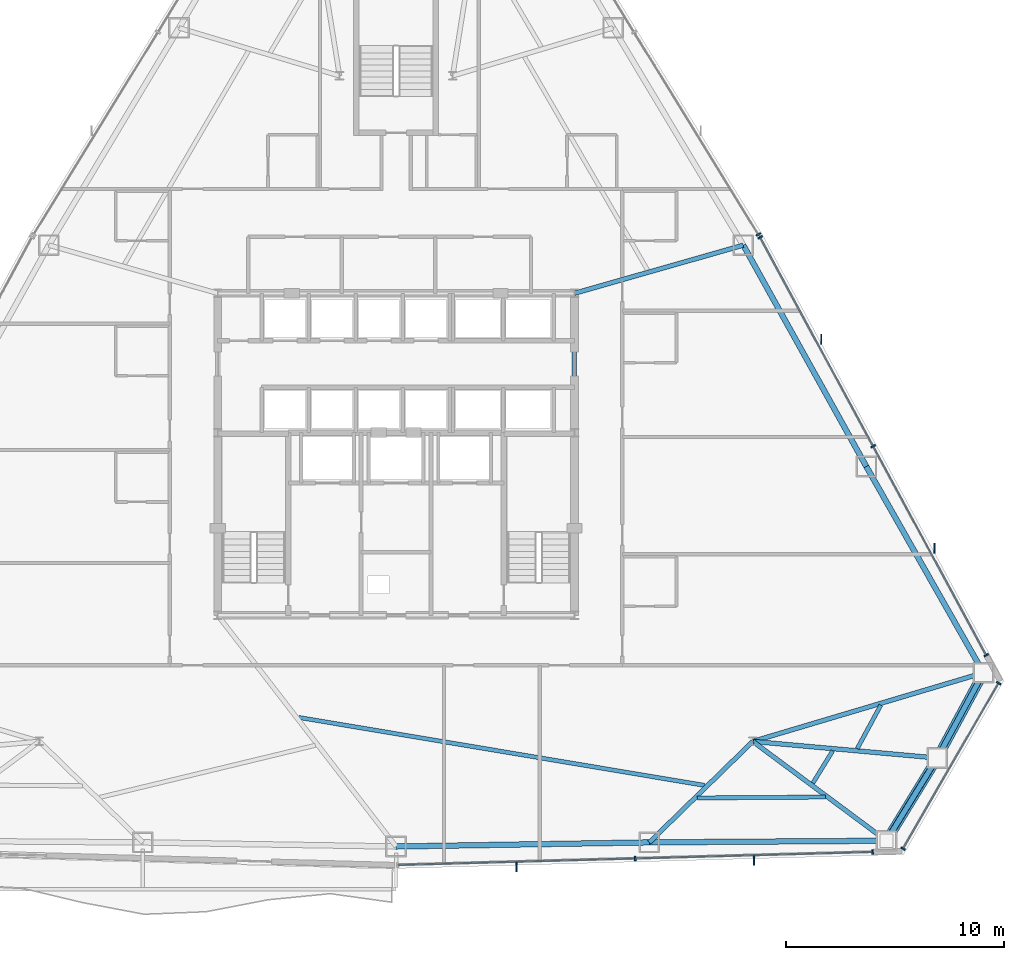
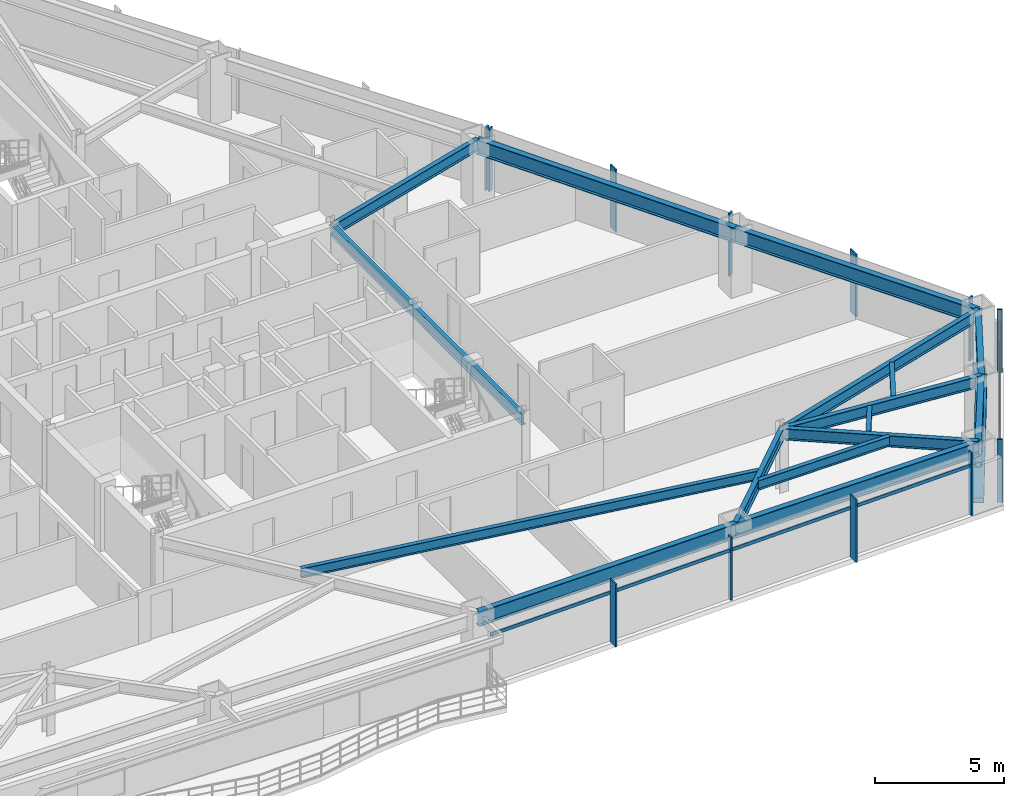
# One storey, part 6 of 14: 18 members, 16 beams, 4 elements without a shape of their own.
"""IFC4 building model written with IfcOpenShell, lengths in metres."""

from ifc_helpers import new_model, si_unit, direction, frame, origin, origin_2d, place, context, subcontext, project, spatial, rectangle, hollow_rectangle, hollow_circle, i_section, extrude, source, transform, mapped, material, layer, layer_set, material_profile, profile_set, type_object, type_shapes, element, aggregate, save


model = new_model("IFC4")

# Units and contexts
model_context = context("Model", 3, precision=1e-05, world=origin(), true_north=direction((0.0, 1.0)))
body_context = subcontext(model_context, "Body", "Model", "MODEL_VIEW")
ifc_project = project(units=[si_unit("LENGTHUNIT", "METRE"), si_unit("AREAUNIT", "SQUARE_METRE"), si_unit("VOLUMEUNIT", "CUBIC_METRE"), si_unit("PLANEANGLEUNIT", "RADIAN"), si_unit("MASSUNIT", "GRAM", prefix="KILO")], contexts=[model_context])

# Site, building, storey
site_placement = place(None, origin())
site = spatial("IfcSite", under=ifc_project, at=site_placement, CompositionType="ELEMENT")
building_placement = place(site_placement, origin())
building = spatial("IfcBuilding", under=site, at=building_placement, Name="Varakhsha Concourse Tower", CompositionType="ELEMENT")
storey_placement = place(building_placement, frame((0.0, 0.0, 105.39990234375)))
storey = spatial("IfcBuildingStorey", under=building, at=storey_placement, Name="L30", CompositionType="ELEMENT", Elevation=105.39990234375)

# Beams
ifc_material_1 = material(Name="Structural Steel ASTM A992 Grade 50", Category="steel")
ifc_material_profile_1 = material_profile(ifc_material_1, i_section(OverallWidth=0.19091796875, OverallDepth=0.45703125, WebThickness=0.009033203125, FlangeThickness=0.013916015625, at=origin_2d()), Name="W18X50")
ifc_profile_set_1 = profile_set([ifc_material_profile_1], Name="Structural Steel ASTM A992 Grade 50")
beam_type_1 = type_object("IfcBeamType", Name="BM-JST-W18X50", PredefinedType="JOIST", material=ifc_profile_set_1)
beam_1_placement = place(storey_placement, frame((35.5166015625, 11.7041015625, 2.74169921875), z_axis=(0.986266830469, -0.165159738181, 0.0), x_axis=(0.165159738181, 0.986266830469, 0.0)))
element("IfcBeam", 1, at=beam_1_placement, inside=storey, type_object=beam_type_1, Name="BM-TJST-L30-11", PredefinedType="JOIST", context=body_context, shape_type="SweptSolid", body=[
    extrude(i_section(OverallWidth=0.19091796875, OverallDepth=0.45703125, WebThickness=0.009033203125, FlangeThickness=0.013916015625, at=origin_2d()), origin(), (0.0, 0.0, 1.0), 18.941650390625),
])
beam_2_placement = place(storey_placement, frame((53.845947265625, 8.00146484375, 2.74169921875), z_axis=(0.999975430006, 0.007009948883, 0.0), x_axis=(-0.007009948883, 0.999975430006, 0.0)))
element("IfcBeam", 2, at=beam_2_placement, inside=storey, type_object=beam_type_1, Name="BM-TJST-L30-12", PredefinedType="JOIST", context=body_context, shape_type="SweptSolid", body=[
    extrude(i_section(OverallWidth=0.19091796875, OverallDepth=0.45703125, WebThickness=0.009033203125, FlangeThickness=0.013916015625, at=origin_2d()), origin(), (0.0, 0.0, 1.0), 5.885986328125),
])
beam_3_placement = place(storey_placement, frame((59.161865234375, 8.68505859375, 2.74169921875), z_axis=(0.523041666025, 0.852307113429, 0.0), x_axis=(-0.852307113429, 0.523041666025, 0.0)))
element("IfcBeam", 3, at=beam_3_placement, inside=storey, type_object=beam_type_1, Name="BM-TJST-L30-13", PredefinedType="JOIST", context=body_context, shape_type="SweptSolid", body=[
    extrude(i_section(OverallWidth=0.19091796875, OverallDepth=0.45703125, WebThickness=0.009033203125, FlangeThickness=0.013916015625, at=origin_2d()), origin(), (0.0, 0.0, 1.0), 1.742431640625),
])
beam_4_placement = place(storey_placement, frame((61.20068359375, 10.268798828125, 2.74169921875), z_axis=(0.476469609204, 0.879190941437, 0.0), x_axis=(-0.879190941437, 0.476469609204, 0.0)))
element("IfcBeam", 4, at=beam_4_placement, inside=storey, type_object=beam_type_1, Name="BM-TJST-L30-14", PredefinedType="JOIST", context=body_context, shape_type="SweptSolid", body=[
    extrude(i_section(OverallWidth=0.19091796875, OverallDepth=0.45703125, WebThickness=0.009033203125, FlangeThickness=0.013916015625, at=origin_2d()), origin(), (0.0, 0.0, 1.0), 2.277587890625),
])
ifc_material_profile_2 = material_profile(ifc_material_1, i_section(OverallWidth=0.2109375, OverallDepth=0.5390625, WebThickness=0.011962890625, FlangeThickness=0.01904296875, at=origin_2d()), Name="W21X73")
ifc_profile_set_2 = profile_set([ifc_material_profile_2], Name="Structural Steel ASTM A992 Grade 50")
beam_type_2 = type_object("IfcBeamType", Name="BM-RAD-W21X73", PredefinedType="BEAM", material=ifc_profile_set_2)
beam_5_placement = place(storey_placement, frame((48.199951171875, 16.39990234375, 2.70068359375), z_axis=(0.0, 1.0, 0.0), x_axis=(-1.0, 0.0, 0.0)))
element("IfcBeam", 5, at=beam_5_placement, inside=storey, type_object=beam_type_2, Name="BM-TCORE-L30-CE", PredefinedType="BEAM", context=body_context, shape_type="SweptSolid", body=[
    extrude(i_section(OverallWidth=0.2109375, OverallDepth=0.5390625, WebThickness=0.011962890625, FlangeThickness=0.01904296875, at=origin_2d()), origin(), (0.0, 0.0, 1.0), 14.800048828125),
])
beam_6_placement = place(storey_placement, frame((56.39990234375, 10.60009765625, 2.70068359375), z_axis=(-0.715722386473, -0.698384897819, 0.0), x_axis=(0.698384897819, -0.715722386473, 0.0)))
element("IfcBeam", 6, at=beam_6_placement, inside=storey, type_object=beam_type_2, Name="L30 Radial Floor Girder 12", PredefinedType="BEAM", context=body_context, shape_type="SweptSolid", body=[
    extrude(i_section(OverallWidth=0.2109375, OverallDepth=0.5390625, WebThickness=0.011962890625, FlangeThickness=0.01904296875, at=origin_2d()), origin(), (0.0, 0.0, 1.0), 6.646484375),
])
beam_7_placement = place(storey_placement, frame((56.39990234375, 10.60009765625, 2.70068359375), z_axis=(0.802769579704, -0.596289360883, 0.0), x_axis=(0.596289360883, 0.802769579704, 0.0)))
element("IfcBeam", 7, at=beam_7_placement, inside=storey, type_object=beam_type_2, Name="L30 Radial Floor Girder 13", PredefinedType="BEAM", context=body_context, shape_type="SweptSolid", body=[
    extrude(i_section(OverallWidth=0.2109375, OverallDepth=0.5390625, WebThickness=0.011962890625, FlangeThickness=0.01904296875, at=origin_2d()), origin(), (0.0, 0.0, 1.0), 7.656005859375),
])
beam_8_placement = place(storey_placement, frame((56.39990234375, 10.60009765625, 2.70068359375), z_axis=(0.995965985667, -0.089731574119, 0.0), x_axis=(0.089731574119, 0.995965985667, 0.0)))
element("IfcBeam", 8, at=beam_8_placement, inside=storey, type_object=beam_type_2, Name="L30 Radial Floor Girder 14", PredefinedType="BEAM", context=body_context, shape_type="SweptSolid", body=[
    extrude(i_section(OverallWidth=0.2109375, OverallDepth=0.5390625, WebThickness=0.011962890625, FlangeThickness=0.01904296875, at=origin_2d()), origin(), (0.0, 0.0, 1.0), 8.513427734375),
])
beam_9_placement = place(storey_placement, frame((56.39990234375, 10.60009765625, 2.70068359375), z_axis=(0.958430242981, 0.285326951653, 0.0), x_axis=(-0.285326951653, 0.958430242981, 0.0)))
element("IfcBeam", 9, at=beam_9_placement, inside=storey, type_object=beam_type_2, Name="L30 Radial Floor Girder 15", PredefinedType="BEAM", context=body_context, shape_type="SweptSolid", body=[
    extrude(i_section(OverallWidth=0.2109375, OverallDepth=0.5390625, WebThickness=0.011962890625, FlangeThickness=0.01904296875, at=origin_2d()), origin(), (0.0, 0.0, 1.0), 11.064453125),
])
beam_10_placement = place(storey_placement, frame((48.199951171875, 31.199951171875, 2.70068359375), z_axis=(0.961591259635, 0.27448542656, 0.0), x_axis=(-0.27448542656, 0.961591259635, 0.0)))
element("IfcBeam", 10, at=beam_10_placement, inside=storey, type_object=beam_type_2, Name="L30 Radial Floor Girder 17", PredefinedType="BEAM", context=body_context, shape_type="SweptSolid", body=[
    extrude(i_section(OverallWidth=0.2109375, OverallDepth=0.5390625, WebThickness=0.011962890625, FlangeThickness=0.01904296875, at=origin_2d()), origin(), (0.0, 0.0, 1.0), 8.07177734375),
])
ifc_material_profile_3 = material_profile(ifc_material_1, i_section(OverallWidth=0.25390625, OverallDepth=0.701904296875, WebThickness=0.014892578125, FlangeThickness=0.028076171875, at=origin_2d()), Name="W27X129")
ifc_profile_set_3 = profile_set([ifc_material_profile_3], Name="Structural Steel ASTM A992 Grade 50")
beam_type_3 = type_object("IfcBeamType", Name="BM-SPAN-W27X129", PredefinedType="SPANDREL", material=ifc_profile_set_3)
beam_11_placement = place(storey_placement, frame((40.0, 5.76904296875, 2.619140625), z_axis=(0.999867976584, 0.016248981565, 0.0), x_axis=(-0.016248981565, 0.999867976584, 0.0)))
element("IfcBeam", 11, at=beam_11_placement, inside=storey, type_object=beam_type_3, Name="BM-SPAN-L30-11", PredefinedType="SPANDREL", context=body_context, shape_type="SweptSolid", body=[
    extrude(i_section(OverallWidth=0.25390625, OverallDepth=0.701904296875, WebThickness=0.014892578125, FlangeThickness=0.028076171875, at=origin_2d()), origin(), (0.0, 0.0, 1.0), 11.644287109375),
])
beam_12_placement = place(storey_placement, frame((51.642822265625, 5.958251953125, 2.619140625), z_axis=(0.999975283031, 0.007030883783, 0.0), x_axis=(-0.007030883783, 0.999975283031, 0.0)))
element("IfcBeam", 12, at=beam_12_placement, inside=storey, type_object=beam_type_3, Name="BM-SPAN-L30-12", PredefinedType="SPANDREL", context=body_context, shape_type="SweptSolid", body=[
    extrude(i_section(OverallWidth=0.25390625, OverallDepth=0.701904296875, WebThickness=0.014892578125, FlangeThickness=0.028076171875, at=origin_2d()), origin(), (0.0, 0.0, 1.0), 10.9033203125),
])
beam_13_placement = place(storey_placement, frame((62.5458984375, 6.034912109375, 2.619140625), z_axis=(0.523083096004, 0.852281687399, 0.0), x_axis=(-0.852281687399, 0.523083096004, 0.0)))
element("IfcBeam", 13, at=beam_13_placement, inside=storey, type_object=beam_type_3, Name="BM-SPAN-L30-13", PredefinedType="SPANDREL", context=body_context, shape_type="SweptSolid", body=[
    extrude(i_section(OverallWidth=0.25390625, OverallDepth=0.701904296875, WebThickness=0.014892578125, FlangeThickness=0.028076171875, at=origin_2d()), origin(), (0.0, 0.0, 1.0), 4.460205078125),
])
beam_14_placement = place(storey_placement, frame((64.87890625, 9.836181640625, 2.619140625), z_axis=(0.476572329896, 0.87913526512, 0.0), x_axis=(-0.87913526512, 0.476572329896, 0.0)))
element("IfcBeam", 14, at=beam_14_placement, inside=storey, type_object=beam_type_3, Name="BM-SPAN-L30-14", PredefinedType="SPANDREL", context=body_context, shape_type="SweptSolid", body=[
    extrude(i_section(OverallWidth=0.25390625, OverallDepth=0.701904296875, WebThickness=0.014892578125, FlangeThickness=0.028076171875, at=origin_2d()), origin(), (0.0, 0.0, 1.0), 4.4599609375),
])
beam_15_placement = place(storey_placement, frame((67.00439453125, 13.757080078125, 2.619140625), z_axis=(-0.49387783637, 0.869531300611, 0.0), x_axis=(-0.869531300611, -0.49387783637, 0.0)))
element("IfcBeam", 15, at=beam_15_placement, inside=storey, type_object=beam_type_3, Name="BM-SPAN-L30-15", PredefinedType="SPANDREL", context=body_context, shape_type="SweptSolid", body=[
    extrude(i_section(OverallWidth=0.25390625, OverallDepth=0.701904296875, WebThickness=0.014892578125, FlangeThickness=0.028076171875, at=origin_2d()), origin(), (0.0, 0.0, 1.0), 10.903564453125),
])
beam_16_placement = place(storey_placement, frame((61.619384765625, 23.238037109375, 2.619140625), z_axis=(-0.485876116014, 0.874027688284, 0.0), x_axis=(-0.874027688284, -0.485876116014, 0.0)))
element("IfcBeam", 16, at=beam_16_placement, inside=storey, type_object=beam_type_3, Name="BM-SPAN-L30-16", PredefinedType="SPANDREL", context=body_context, shape_type="SweptSolid", body=[
    extrude(i_section(OverallWidth=0.25390625, OverallDepth=0.701904296875, WebThickness=0.014892578125, FlangeThickness=0.028076171875, at=origin_2d()), origin(), (0.0, 0.0, 1.0), 11.644287109375),
])

# Members
ifc_material_2 = material(Name="Structural Steel ASTM A500 Grade C", Category="steel")
ifc_material_profile_4 = material_profile(ifc_material_2, hollow_rectangle(XDim=0.449951171875, YDim=0.449951171875, WallThickness=0.01904296875, at=origin_2d()), Name="HSS 450x450x19")
ifc_profile_set_4 = profile_set([ifc_material_profile_4], Name="Structural Steel ASTM A500 Grade C")
member_type_1 = type_object("IfcMemberType", Name="MB-TUBE-HSS450", PredefinedType="BRACE", material=ifc_profile_set_4)
shared_shape_1 = source(origin(), body_context, "Body", "SweptSolid", [
    extrude(hollow_rectangle(XDim=0.449951171875, YDim=0.449951171875, WallThickness=0.01904296875, at=origin_2d()), origin(), (0.0, 0.0, 1.0), 5.1376953125),
])
member_1_placement = place(storey_placement, frame((62.5458984375, 6.034912109375, 0.1201171875), z_axis=(0.454101242407, 0.739886599443, 0.496346533794), x_axis=(-0.852281687399, 0.523083096004, 0.0)))
element("IfcMember", 17, at=member_1_placement, inside=storey, type_object=member_type_1, Name="L30 Wind-Corner Tube Brace B05", PredefinedType="BRACE", context=body_context, shape_type="MappedRepresentation", body=[
    mapped(shared_shape_1, transform((0.0, 0.0, 0.0), scale=1.0)),
])
shared_shape_2 = source(origin(), body_context, "Body", "SweptSolid", [
    extrude(hollow_rectangle(XDim=0.449951171875, YDim=0.449951171875, WallThickness=0.01904296875, at=origin_2d()), origin(), (0.0, 0.0, 1.0), 5.137451171875),
])
type_shapes(member_type_1, [shared_shape_1, shared_shape_2])
member_2_placement = place(storey_placement, frame((67.00439453125, 13.757080078125, 0.1201171875), z_axis=(-0.413720442593, -0.763192086841, 0.49635998425), x_axis=(0.87913526512, -0.476572329896, 0.0)))
element("IfcMember", 18, at=member_2_placement, inside=storey, type_object=member_type_1, Name="L30 Wind-Corner Tube Brace B06", PredefinedType="BRACE", context=body_context, shape_type="MappedRepresentation", body=[
    mapped(shared_shape_2, transform((0.0, 0.0, 0.0), scale=1.0)),
])
ifc_material_profile_5 = material_profile(ifc_material_2, hollow_circle(Radius=0.136474609375, WallThickness=0.011962890625, at=origin_2d()), Name="CHS 273x12")
ifc_profile_set_5 = profile_set([ifc_material_profile_5], Name="Structural Steel ASTM A500 Grade C")
member_type_2 = type_object("IfcMemberType", Name="MB-WIND-CHS273", PredefinedType="COLLAR", material=ifc_profile_set_5)
shared_shape_3 = source(origin(), body_context, "Body", "SweptSolid", [
    extrude(hollow_circle(Radius=0.136474609375, WallThickness=0.011962890625, at=origin_2d()), origin(), (0.0, 0.0, 1.0), 4.460205078125),
])
type_shapes(member_type_2, [shared_shape_3])
member_3_placement = place(storey_placement, frame((62.5458984375, 6.034912109375, 1.800048828125), z_axis=(0.523083096004, 0.852281687399, 0.0), x_axis=(-0.852281687399, 0.523083096004, 0.0)))
element("IfcMember", 19, at=member_3_placement, inside=storey, type_object=member_type_2, Name="L30 Wind-Corner Collar Tie 3", PredefinedType="COLLAR", context=body_context, shape_type="MappedRepresentation", body=[
    mapped(shared_shape_3, transform((0.0, 0.0, 0.0), scale=1.0)),
])

# Curtain wall, members
ifc_material_3 = material(Name="Anodised Bronze Architectural Aluminium AA 6063-T6", Category="aluminium")
ifc_layer = layer(ifc_material_3, 0.199951171875, Name="CW-SYS-03")
ifc_layer_set = layer_set([ifc_layer], Name="Anodised Bronze Architectural Aluminium AA 6063-T6")
curtain_wall_type = type_object("IfcCurtainWallType", Name="CW-SYS-03", PredefinedType="NOTDEFINED", material=ifc_layer_set)
curtain_wall_1_placement = place(storey_placement, origin())
curtain_wall_1 = element("IfcCurtainWall", 20, at=curtain_wall_1_placement, inside=storey, type_object=curtain_wall_type, Name="L30 Crystal Curtain Wall F6", PredefinedType="NOTDEFINED")
ifc_material_profile_6 = material_profile(ifc_material_3, rectangle(XDim=0.074951171875, YDim=0.219970703125, at=origin_2d()), Name="CWM-220X75")
ifc_profile_set_6 = profile_set([ifc_material_profile_6], Name="Anodised Bronze Architectural Aluminium AA 6063-T6")
member_type_3 = type_object("IfcMemberType", Name="CWM-220X75", PredefinedType="MULLION", material=ifc_profile_set_6)
shared_shape_4 = source(origin(), body_context, "Body", "SweptSolid", [
    extrude(rectangle(XDim=0.074951171875, YDim=0.219970703125, at=origin_2d()), origin(), (0.0, 0.0, 1.0), 2.97021484375),
])
type_shapes(member_type_3, [shared_shape_4])
member_4_placement = place(storey_placement, frame((61.91015625, 5.520751953125, 0.0), z_axis=(0.0, 0.0, 1.0), x_axis=(-0.99962052214, -0.02754653728, 0.0)))
member_4 = element("IfcMember", 21, at=member_4_placement, type_object=member_type_3, Name="CW-L30-F6 Mullion 00", PredefinedType="MULLION", context=body_context, shape_type="MappedRepresentation", body=[
    mapped(shared_shape_4, transform((0.0, 0.0, 0.0), scale=1.0)),
])
member_5_placement = place(storey_placement, frame((50.992919921875, 5.219970703125, 0.0), z_axis=(0.0, 0.0, 1.0), x_axis=(-0.99962052214, -0.02754653728, 0.0)))
member_5 = element("IfcMember", 22, at=member_5_placement, type_object=member_type_3, Name="CW-L30-F6 Mullion 01", PredefinedType="MULLION", context=body_context, shape_type="MappedRepresentation", body=[
    mapped(shared_shape_4, transform((0.0, 0.0, 0.0), scale=1.0)),
])

curtain_wall_2_placement = place(storey_placement, origin())
curtain_wall_2 = element("IfcCurtainWall", 23, at=curtain_wall_2_placement, inside=storey, type_object=curtain_wall_type, Name="L30 Chamfer Curtain Wall F7", PredefinedType="NOTDEFINED")
member_6_placement = place(storey_placement, frame((67.69970703125, 13.28173828125, 0.0), z_axis=(0.0, 0.0, 1.0), x_axis=(-0.499996976998, -0.866027149108, 0.0)))
member_6 = element("IfcMember", 24, at=member_6_placement, type_object=member_type_3, Name="CW-L30-F7 Mullion 00", PredefinedType="MULLION", context=body_context, shape_type="MappedRepresentation", body=[
    mapped(shared_shape_4, transform((0.0, 0.0, 0.0), scale=1.0)),
])
member_7_placement = place(storey_placement, frame((63.305419921875, 5.67041015625, 0.0), z_axis=(0.0, 0.0, 1.0), x_axis=(-0.499996976998, -0.866027149108, 0.0)))
member_7 = element("IfcMember", 25, at=member_7_placement, type_object=member_type_3, Name="CW-L30-F7 Mullion 01", PredefinedType="MULLION", context=body_context, shape_type="MappedRepresentation", body=[
    mapped(shared_shape_4, transform((0.0, 0.0, 0.0), scale=1.0)),
])

curtain_wall_3_placement = place(storey_placement, origin())
curtain_wall_3 = element("IfcCurtainWall", 26, at=curtain_wall_3_placement, inside=storey, type_object=curtain_wall_type, Name="L30 Crystal Curtain Wall F8", PredefinedType="NOTDEFINED")
member_8_placement = place(storey_placement, frame((56.735595703125, 33.77490234375, 0.0), z_axis=(0.0, 0.0, 1.0), x_axis=(0.475958864887, -0.879467542855, 0.0)))
member_8 = element("IfcMember", 27, at=member_8_placement, type_object=member_type_3, Name="CW-L30-F8 Mullion 00", PredefinedType="MULLION", context=body_context, shape_type="MappedRepresentation", body=[
    mapped(shared_shape_4, transform((0.0, 0.0, 0.0), scale=1.0)),
])
member_9_placement = place(storey_placement, frame((61.93359375, 24.169921875, 0.0), z_axis=(0.0, 0.0, 1.0), x_axis=(0.475958864887, -0.879467542855, 0.0)))
member_9 = element("IfcMember", 28, at=member_9_placement, type_object=member_type_3, Name="CW-L30-F8 Mullion 01", PredefinedType="MULLION", context=body_context, shape_type="MappedRepresentation", body=[
    mapped(shared_shape_4, transform((0.0, 0.0, 0.0), scale=1.0)),
])
member_10_placement = place(storey_placement, frame((67.1318359375, 14.56494140625, 0.0), z_axis=(0.0, 0.0, 1.0), x_axis=(0.475958864887, -0.879467542855, 0.0)))
member_10 = element("IfcMember", 29, at=member_10_placement, type_object=member_type_3, Name="CW-L30-F8 Mullion 02", PredefinedType="MULLION", context=body_context, shape_type="MappedRepresentation", body=[
    mapped(shared_shape_4, transform((0.0, 0.0, 0.0), scale=1.0)),
])

# Curtain wall, member
curtain_wall_4_placement = place(storey_placement, origin())
curtain_wall_4 = element("IfcCurtainWall", 30, at=curtain_wall_4_placement, inside=storey, type_object=curtain_wall_type, Name="L30 Crystal Curtain Wall F9", PredefinedType="NOTDEFINED")
member_11_placement = place(storey_placement, frame((56.659912109375, 33.906005859375, 0.0), z_axis=(0.0, 0.0, 1.0), x_axis=(0.523664775253, -0.851924411646, 0.0)))
member_11 = element("IfcMember", 31, at=member_11_placement, type_object=member_type_3, Name="CW-L30-F9 Mullion 02", PredefinedType="MULLION", context=body_context, shape_type="MappedRepresentation", body=[
    mapped(shared_shape_4, transform((0.0, 0.0, 0.0), scale=1.0)),
])
aggregate(curtain_wall_4, [member_11])

# Member
ifc_material_profile_7 = material_profile(ifc_material_3, rectangle(XDim=0.06494140625, YDim=0.449951171875, at=origin_2d()), Name="FIN-BRZ-450")
ifc_profile_set_7 = profile_set([ifc_material_profile_7], Name="Anodised Bronze Architectural Aluminium AA 6063-T6")
member_type_4 = type_object("IfcMemberType", Name="FIN-BRZ-450", PredefinedType="USERDEFINED", material=ifc_profile_set_7)
shared_shape_5 = source(origin(), body_context, "Body", "SweptSolid", [
    extrude(rectangle(XDim=0.06494140625, YDim=0.449951171875, at=origin_2d()), origin(), (0.0, 0.0, 1.0), 2.97021484375),
])
type_shapes(member_type_4, [shared_shape_5])
member_12_placement = place(storey_placement, frame((56.458251953125, 5.130615234375, 0.0), z_axis=(0.0, 0.0, 1.0), x_axis=(1.0, 0.0, 0.0)))
member_12 = element("IfcMember", 32, at=member_12_placement, type_object=member_type_4, Name="L30 Anodised Bronze Solar Fin F6-1", ObjectType="SOLAR FIN", PredefinedType="USERDEFINED", context=body_context, shape_type="MappedRepresentation", body=[
    mapped(shared_shape_5, transform((0.0, 0.0, 0.0), scale=1.0)),
])

member_13_placement = place(storey_placement, frame((45.541015625, 4.82958984375, 0.0), z_axis=(0.0, 0.0, 1.0), x_axis=(1.0, 0.0, 0.0)))
member_13 = element("IfcMember", 33, at=member_13_placement, type_object=member_type_4, Name="L30 Anodised Bronze Solar Fin F6-2", ObjectType="SOLAR FIN", PredefinedType="USERDEFINED", context=body_context, shape_type="MappedRepresentation", body=[
    mapped(shared_shape_5, transform((0.0, 0.0, 0.0), scale=1.0)),
])

member_14_placement = place(storey_placement, frame((59.545654296875, 29.086669921875, 0.0), z_axis=(0.0, 0.0, 1.0), x_axis=(1.0, 0.0, 0.0)))
member_14 = element("IfcMember", 34, at=member_14_placement, type_object=member_type_4, Name="L30 Anodised Bronze Solar Fin F8-1", ObjectType="SOLAR FIN", PredefinedType="USERDEFINED", context=body_context, shape_type="MappedRepresentation", body=[
    mapped(shared_shape_5, transform((0.0, 0.0, 0.0), scale=1.0)),
])

member_15_placement = place(storey_placement, frame((64.743896484375, 19.481689453125, 0.0), z_axis=(0.0, 0.0, 1.0), x_axis=(1.0, 0.0, 0.0)))
member_15 = element("IfcMember", 35, at=member_15_placement, type_object=member_type_4, Name="L30 Anodised Bronze Solar Fin F8-2", ObjectType="SOLAR FIN", PredefinedType="USERDEFINED", context=body_context, shape_type="MappedRepresentation", body=[
    mapped(shared_shape_5, transform((0.0, 0.0, 0.0), scale=1.0)),
])

ifc_material_profile_8 = material_profile(ifc_material_3, rectangle(XDim=0.06494140625, YDim=0.159912109375, at=origin_2d()), Name="CWT-160X65")
ifc_profile_set_8 = profile_set([ifc_material_profile_8], Name="Anodised Bronze Architectural Aluminium AA 6063-T6")
member_type_5 = type_object("IfcMemberType", Name="CWT-160X65", PredefinedType="USERDEFINED", material=ifc_profile_set_8)
shared_shape_6 = source(origin(), body_context, "Body", "SweptSolid", [
    extrude(rectangle(XDim=0.06494140625, YDim=0.159912109375, at=origin_2d()), origin(), (0.0, 0.0, 1.0), 21.8427734375),
])
member_16_placement = place(storey_placement, frame((61.91015625, 5.520751953125, 2.320068359375), z_axis=(-0.999620685936, -0.027540592729, 0.0), x_axis=(0.027540592729, -0.999620685936, 0.0)))
member_16 = element("IfcMember", 36, at=member_16_placement, type_object=member_type_5, Name="CW-L30-F6 Transom 01", ObjectType="TRANSOM", PredefinedType="USERDEFINED", context=body_context, shape_type="MappedRepresentation", body=[
    mapped(shared_shape_6, transform((0.0, 0.0, 0.0), scale=1.0)),
])

aggregate(curtain_wall_1, [member_4, member_5, member_16, member_12, member_13])

member_17_placement = place(storey_placement, frame((56.735595703125, 33.77490234375, 2.320068359375), z_axis=(0.475959052174, -0.879467441497, 0.0), x_axis=(0.879467441497, 0.475959052174, 0.0)))
member_17 = element("IfcMember", 37, at=member_17_placement, type_object=member_type_5, Name="CW-L30-F8 Transom 01", ObjectType="TRANSOM", PredefinedType="USERDEFINED", context=body_context, shape_type="MappedRepresentation", body=[
    mapped(shared_shape_6, transform((0.0, 0.0, 0.0), scale=1.0)),
])

aggregate(curtain_wall_3, [member_8, member_9, member_10, member_17, member_14, member_15])

shared_shape_7 = source(origin(), body_context, "Body", "SweptSolid", [
    extrude(rectangle(XDim=0.06494140625, YDim=0.159912109375, at=origin_2d()), origin(), (0.0, 0.0, 1.0), 8.788818359375),
])
type_shapes(member_type_5, [shared_shape_6, shared_shape_7])
member_18_placement = place(storey_placement, frame((67.69970703125, 13.28173828125, 2.320068359375), z_axis=(-0.499990166443, -0.866031081117, 0.0), x_axis=(0.866031081117, -0.499990166443, 0.0)))
member_18 = element("IfcMember", 38, at=member_18_placement, type_object=member_type_5, Name="CW-L30-F7 Transom 01", ObjectType="TRANSOM", PredefinedType="USERDEFINED", context=body_context, shape_type="MappedRepresentation", body=[
    mapped(shared_shape_7, transform((0.0, 0.0, 0.0), scale=1.0)),
])

aggregate(curtain_wall_2, [member_6, member_7, member_18])

save(model, "model.ifc")
